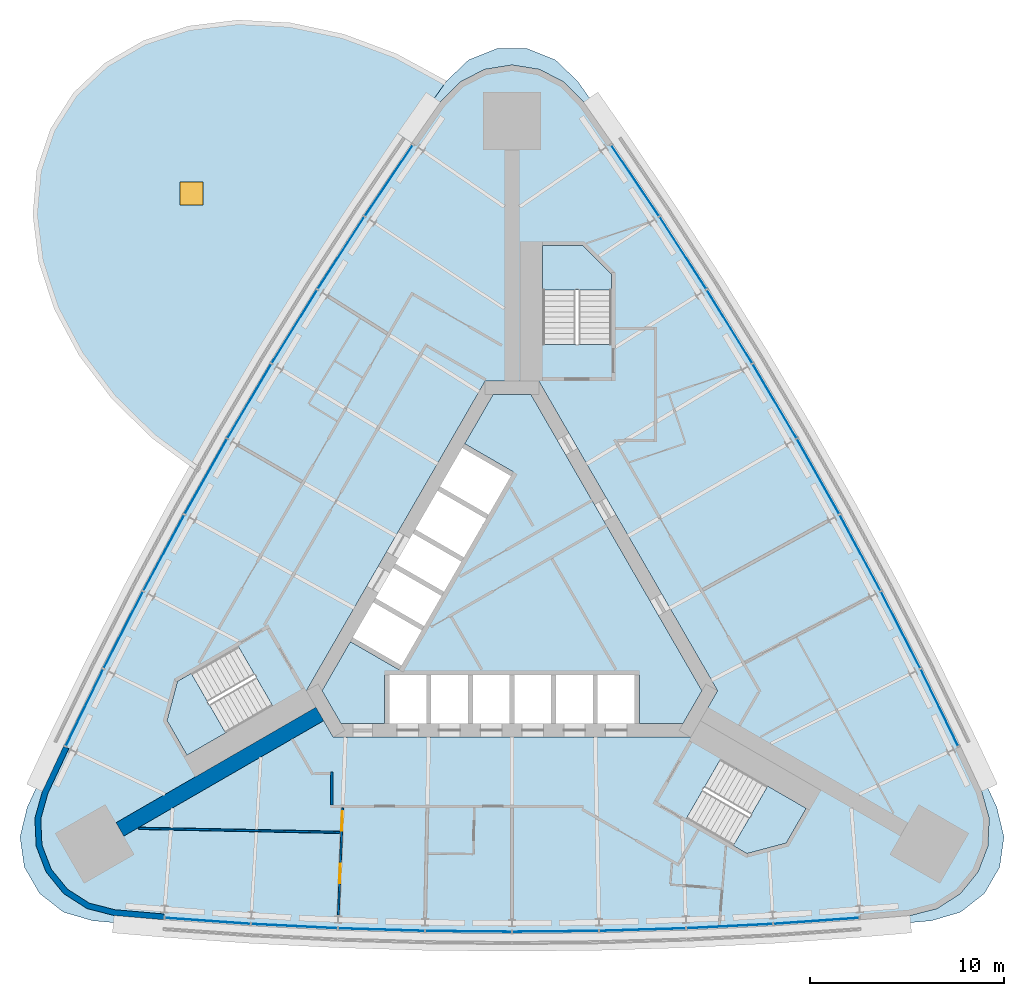
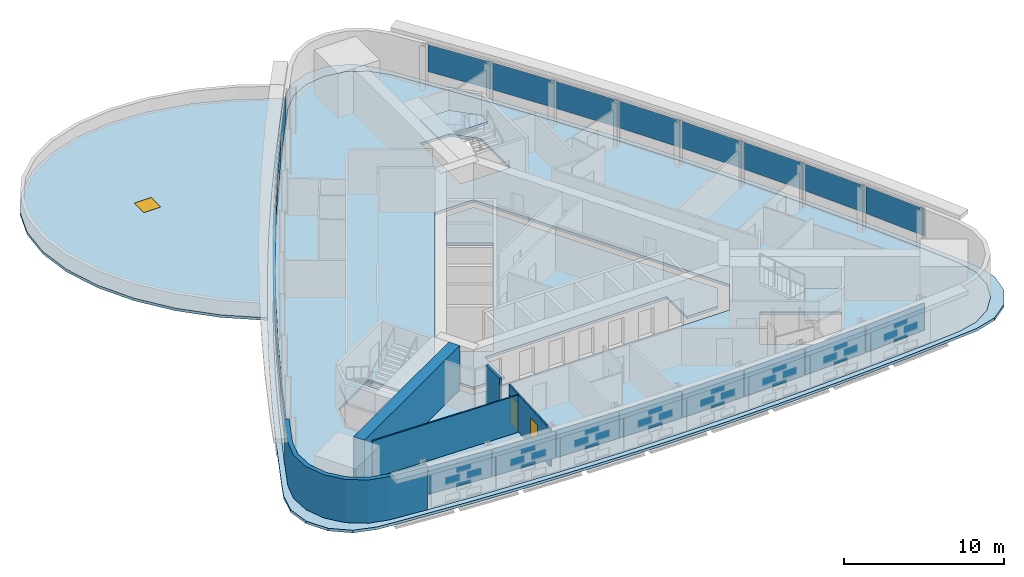
# One storey, part 6 of 12: 24 plates, 7 slabs, 5 walls, 2 doors, 1 window, 3 openings, 6 elements without a shape of their own.
"""IFC4 building model written with IfcOpenShell, lengths in metres."""

from ifc_helpers import new_model, si_unit, direction, frame, frame_2d, origin, origin_2d, place, context, subcontext, project, spatial, polyline, rectangle, outline, extrude, material, layer, layer_set, type_object, element, fill, aggregate, save


model = new_model("IFC4")

# Units and contexts
model_context = context("Model", 3, precision=1e-05, world=origin(), true_north=direction((0.0, 1.0)))
body_context = subcontext(model_context, "Body", "Model", "MODEL_VIEW")
ifc_project = project(units=[si_unit("LENGTHUNIT", "METRE"), si_unit("AREAUNIT", "SQUARE_METRE"), si_unit("VOLUMEUNIT", "CUBIC_METRE"), si_unit("PLANEANGLEUNIT", "RADIAN"), si_unit("MASSUNIT", "GRAM", prefix="KILO")], contexts=[model_context])

# Site, building, storey
site_placement = place(None, origin())
site = spatial("IfcSite", under=ifc_project, at=site_placement, CompositionType="ELEMENT")
building_placement = place(site_placement, origin())
building = spatial("IfcBuilding", under=site, at=building_placement, Name="Noor Cloister Tower", CompositionType="ELEMENT")
storey_placement = place(building_placement, frame((0.0, 0.0, 105.89990234375)))
storey = spatial("IfcBuildingStorey", under=building, at=storey_placement, Name="L27", CompositionType="ELEMENT", Elevation=105.89990234375)

# Slabs
ifc_material_1 = material(Name="Concrete C40/50", Category="concrete")
ifc_layer_1 = layer(ifc_material_1, 0.199951171875)
ifc_layer_set_1 = layer_set([ifc_layer_1], Name="Core floor slab 200 C40/50")
slab_type_1 = type_object("IfcSlabType", Name="Core floor slab 200 C40/50", PredefinedType="FLOOR", material=ifc_layer_set_1)
slab_1_placement = place(storey_placement, frame((0.0, 0.0, -0.199951171875)))
element("IfcSlab", 1, at=slab_1_placement, inside=storey, type_object=slab_type_1, Name="Core floor L27", PredefinedType="FLOOR", context=body_context, shape_type="SweptSolid", body=[
    extrude(outline(polyline([(-6.574951171875, -6.228271484375), (-6.574951171875, -3.728271484375), (6.574951171875, -3.728271484375), (6.574951171875, -6.228271484375), (8.82470703125, -6.228271484375), (9.80615234375, -4.5283203125), (0.9814453125, 10.75634765625), (-0.9814453125, 10.75634765625), (-2.44384765625, 8.2236328125), (0.067626953125, 6.773681640625), (-5.832275390625, -3.4453125), (-8.34375, -1.995361328125), (-9.80615234375, -4.5283203125), (-8.82470703125, -6.228271484375), (-6.574951171875, -6.228271484375)])), origin(), (0.0, 0.0, 1.0), 0.199951171875),
])
ifc_material_2 = material(Name="Concrete C40/50", Category="concrete")
ifc_layer_2 = layer(ifc_material_2, 0.199951171875)
ifc_layer_set_2 = layer_set([ifc_layer_2], Name="Floor slab 200 C40/50")
slab_type_2 = type_object("IfcSlabType", Name="Floor slab 200 C40/50", PredefinedType="FLOOR", material=ifc_layer_set_2)
slab_2_placement = place(storey_placement, frame((0.0, 0.0, -0.199951171875)))
element("IfcSlab", 2, at=slab_2_placement, inside=storey, type_object=slab_type_2, Name="Floor slab L27", PredefinedType="FLOOR", context=body_context, shape_type="SweptSolid", body=[
    extrude(outline(polyline([(3.694091796875, 25.862548828125), (2.6904296875, 26.8876953125), (1.41650390625, 27.54736328125), (0.0, 27.774658203125), (-1.41650390625, 27.54736328125), (-2.6904296875, 26.8876953125), (-3.694091796875, 25.862548828125), (-5.1708984375, 23.747802734375), (-7.68896484375, 20.018310546875), (-10.131591796875, 16.239013671875), (-12.498046875, 12.41162109375), (-14.786865234375, 8.537353515625), (-16.99755859375, 4.617919921875), (-19.129150390625, 0.65478515625), (-21.180908203125, -3.350341796875), (-23.151611328125, -7.395751953125), (-24.24462890625, -9.732177734375), (-24.630615234375, -11.11376953125), (-24.56494140625, -12.546875), (-24.0537109375, -13.887451171875), (-23.1484375, -15.000244140625), (-21.940185546875, -15.77392578125), (-20.550537109375, -16.13037109375), (-17.980712890625, -16.35205078125), (-13.491943359375, -16.66796875), (-8.99755859375, -16.893798828125), (-4.499755859375, -17.029296875), (0.0, -17.074462890625), (4.499755859375, -17.029296875), (8.99755859375, -16.893798828125), (13.491943359375, -16.66796875), (17.980712890625, -16.35205078125), (20.550537109375, -16.13037109375), (21.940185546875, -15.77392578125), (23.1484375, -15.000244140625), (24.0537109375, -13.887451171875), (24.56494140625, -12.546875), (24.630615234375, -11.11376953125), (24.24462890625, -9.732177734375), (23.151611328125, -7.395751953125), (21.180908203125, -3.350341796875), (19.129150390625, 0.65478515625), (16.99755859375, 4.617919921875), (14.786865234375, 8.537353515625), (12.498046875, 12.41162109375), (10.131591796875, 16.239013671875), (7.68896484375, 20.018310546875), (5.1708984375, 23.747802734375), (3.694091796875, 25.862548828125)]), holes=[polyline([(8.999755859375, -11.126220703125), (12.131591796875, -12.934326171875), (14.1572265625, -12.3916015625), (15.19091796875, -10.601318359375), (10.774658203125, -8.0517578125), (8.999755859375, -11.126220703125)]), polyline([(-17.81005859375, -6.064697265625), (-16.776611328125, -7.85498046875), (-12.3603515625, -5.305419921875), (-14.13525390625, -2.23095703125), (-16.662841796875, -3.690185546875), (-17.267333984375, -4.039306640625), (-17.81005859375, -6.064697265625)]), polyline([(-10.6142578125, -4.5283203125), (-9.228759765625, -6.92822265625), (9.228759765625, -6.92822265625), (10.6142578125, -4.5283203125), (1.3857421875, 11.456298828125), (-1.3857421875, 11.456298828125), (-10.6142578125, -4.5283203125)]), polyline([(3.65283203125, 18.456298828125), (1.585693359375, 18.456298828125), (1.585693359375, 13.35693359375), (5.135498046875, 13.35693359375), (5.135498046875, 16.9736328125), (3.65283203125, 18.456298828125)])]), origin(), (0.0, 0.0, 1.0), 0.199951171875),
])

# Curtain wall, plates
ifc_material_3 = material(Name="Aluminium 6063-T6 anodised", Category="aluminium")
curtain_wall_type = type_object("IfcCurtainWallType", Name="Ribbon curtain wall, lower tower CW1", PredefinedType="NOTDEFINED", material=ifc_material_3)
curtain_wall_1_placement = place(storey_placement, origin())
curtain_wall_1 = element("IfcCurtainWall", 3, at=curtain_wall_1_placement, inside=storey, type_object=curtain_wall_type, Name="CW1 L27 NW run 1", PredefinedType="NOTDEFINED")
ifc_material_4 = material(Name="Clear laminated glass 2 x 8 mm", Category="glass")
ifc_layer_3 = layer(ifc_material_4, 0.028076171875)
ifc_layer_set_3 = layer_set([ifc_layer_3], Name="Glass panel CW1")
plate_type = type_object("IfcPlateType", Name="Glass panel CW1", PredefinedType="CURTAIN_PANEL", material=ifc_layer_set_3)
plate_1_placement = place(storey_placement, frame((-6.35791015625, 21.810791015625, 1.08984375), z_axis=(0.0, 0.0, 1.0), x_axis=(-0.559576269216, -0.828778860089, 0.0)))
plate_1 = element("IfcPlate", 4, at=plate_1_placement, type_object=plate_type, Name="CW1 glass panel 1", PredefinedType="CURTAIN_PANEL", context=body_context, shape_type="SweptSolid", body=[
    extrude(rectangle(XDim=4.39892578125, YDim=0.028076171875, at=origin_2d()), origin(), (0.0, 0.0, 1.0), 2.070068359375),
])
plate_2_placement = place(storey_placement, frame((-8.826416015625, 18.074462890625, 1.08984375), z_axis=(0.0, 0.0, 1.0), x_axis=(-0.542823743887, -0.839846642592, 0.0)))
plate_2 = element("IfcPlate", 5, at=plate_2_placement, type_object=plate_type, Name="CW1 glass panel 2", PredefinedType="CURTAIN_PANEL", context=body_context, shape_type="SweptSolid", body=[
    extrude(rectangle(XDim=4.43798828125, YDim=0.028076171875, at=origin_2d()), origin(), (0.0, 0.0, 1.0), 2.070068359375),
])
plate_3_placement = place(storey_placement, frame((-11.229736328125, 14.272705078125, 1.08984375), z_axis=(0.0, 0.0, 1.0), x_axis=(-0.525852368166, -0.85057585605, 0.0)))
plate_3 = element("IfcPlate", 6, at=plate_3_placement, type_object=plate_type, Name="CW1 glass panel 3", PredefinedType="CURTAIN_PANEL", context=body_context, shape_type="SweptSolid", body=[
    extrude(rectangle(XDim=4.43798828125, YDim=0.028076171875, at=origin_2d()), origin(), (0.0, 0.0, 1.0), 2.070068359375),
])
plate_4_placement = place(storey_placement, frame((-13.556396484375, 10.423583984375, 1.08984375), z_axis=(0.0, 0.0, 1.0), x_axis=(-0.508669013447, -0.860962156404, 0.0)))
plate_4 = element("IfcPlate", 7, at=plate_4_placement, type_object=plate_type, Name="CW1 glass panel 4", PredefinedType="CURTAIN_PANEL", context=body_context, shape_type="SweptSolid", body=[
    extrude(rectangle(XDim=4.43798828125, YDim=0.028076171875, at=origin_2d()), origin(), (0.0, 0.0, 1.0), 2.070068359375),
])
plate_5_placement = place(storey_placement, frame((-15.80517578125, 6.5283203125, 1.08984375), z_axis=(0.0, 0.0, 1.0), x_axis=(-0.491280592419, -0.871001365965, 0.0)))
plate_5 = element("IfcPlate", 8, at=plate_5_placement, type_object=plate_type, Name="CW1 glass panel 5", PredefinedType="CURTAIN_PANEL", context=body_context, shape_type="SweptSolid", body=[
    extrude(rectangle(XDim=4.43798828125, YDim=0.028076171875, at=origin_2d()), origin(), (0.0, 0.0, 1.0), 2.070068359375),
])
plate_6_placement = place(storey_placement, frame((-17.975341796875, 2.5888671875, 1.08984375), z_axis=(0.0, 0.0, 1.0), x_axis=(-0.473694115102, -0.880689437497, 0.0)))
plate_6 = element("IfcPlate", 9, at=plate_6_placement, type_object=plate_type, Name="CW1 glass panel 6", PredefinedType="CURTAIN_PANEL", context=body_context, shape_type="SweptSolid", body=[
    extrude(rectangle(XDim=4.43798828125, YDim=0.028076171875, at=origin_2d()), origin(), (0.0, 0.0, 1.0), 2.070068359375),
])
plate_7_placement = place(storey_placement, frame((-20.066162109375, -1.393310546875, 1.08984375), z_axis=(0.0, 0.0, 1.0), x_axis=(-0.455916655824, -0.890022473279, 0.0)))
plate_7 = element("IfcPlate", 10, at=plate_7_placement, type_object=plate_type, Name="CW1 glass panel 7", PredefinedType="CURTAIN_PANEL", context=body_context, shape_type="SweptSolid", body=[
    extrude(rectangle(XDim=4.43798828125, YDim=0.028076171875, at=origin_2d()), origin(), (0.0, 0.0, 1.0), 2.070068359375),
])
plate_8_placement = place(storey_placement, frame((-22.06787109375, -5.399169921875, 1.08984375), z_axis=(0.0, 0.0, 1.0), x_axis=(-0.437955412348, -0.89899669454, 0.0)))
plate_8 = element("IfcPlate", 11, at=plate_8_placement, type_object=plate_type, Name="CW1 glass panel 8", PredefinedType="CURTAIN_PANEL", context=body_context, shape_type="SweptSolid", body=[
    extrude(rectangle(XDim=4.39892578125, YDim=0.028076171875, at=origin_2d()), origin(), (0.0, 0.0, 1.0), 2.070068359375),
])
aggregate(curtain_wall_1, [plate_1, plate_2, plate_3, plate_4, plate_5, plate_6, plate_7, plate_8])

curtain_wall_2_placement = place(storey_placement, origin())
curtain_wall_2 = element("IfcCurtainWall", 12, at=curtain_wall_2_placement, inside=storey, type_object=curtain_wall_type, Name="CW1 L27 S run 2", PredefinedType="NOTDEFINED")
plate_9_placement = place(storey_placement, frame((-15.709716796875, -16.41162109375, 1.08984375), z_axis=(0.0, 0.0, 1.0), x_axis=(0.997531681565, -0.070217834452, 0.0)))
plate_9 = element("IfcPlate", 13, at=plate_9_placement, type_object=plate_type, Name="CW1 glass panel 1", PredefinedType="CURTAIN_PANEL", context=body_context, shape_type="SweptSolid", body=[
    extrude(rectangle(XDim=4.39892578125, YDim=0.028076171875, at=origin_2d()), origin(), (0.0, 0.0, 1.0), 2.070068359375),
])
plate_10_placement = place(storey_placement, frame((-11.23974609375, -16.68115234375, 1.08984375), z_axis=(0.0, 0.0, 1.0), x_axis=(0.998740399711, -0.050175830687, 0.0)))
plate_10 = element("IfcPlate", 14, at=plate_10_placement, type_object=plate_type, Name="CW1 glass panel 2", PredefinedType="CURTAIN_PANEL", context=body_context, shape_type="SweptSolid", body=[
    extrude(rectangle(XDim=4.43798828125, YDim=0.028076171875, at=origin_2d()), origin(), (0.0, 0.0, 1.0), 2.070068359375),
])
plate_11_placement = place(storey_placement, frame((-6.74560546875, -16.861572265625, 1.08984375), z_axis=(0.0, 0.0, 1.0), x_axis=(0.999546483268, -0.030113581447, 0.0)))
plate_11 = element("IfcPlate", 15, at=plate_11_placement, type_object=plate_type, Name="CW1 glass panel 3", PredefinedType="CURTAIN_PANEL", context=body_context, shape_type="SweptSolid", body=[
    extrude(rectangle(XDim=4.43798828125, YDim=0.028076171875, at=origin_2d()), origin(), (0.0, 0.0, 1.0), 2.070068359375),
])
plate_12_placement = place(storey_placement, frame((-2.248779296875, -16.951904296875, 1.08984375), z_axis=(0.0, 0.0, 1.0), x_axis=(0.999949605866, -0.010039209561, 0.0)))
plate_12 = element("IfcPlate", 16, at=plate_12_placement, type_object=plate_type, Name="CW1 glass panel 4", PredefinedType="CURTAIN_PANEL", context=body_context, shape_type="SweptSolid", body=[
    extrude(rectangle(XDim=4.43798828125, YDim=0.028076171875, at=origin_2d()), origin(), (0.0, 0.0, 1.0), 2.070068359375),
])
plate_13_placement = place(storey_placement, frame((2.248779296875, -16.951904296875, 1.08984375), z_axis=(0.0, 0.0, 1.0), x_axis=(0.999949605866, 0.010039209561, 0.0)))
plate_13 = element("IfcPlate", 17, at=plate_13_placement, type_object=plate_type, Name="CW1 glass panel 5", PredefinedType="CURTAIN_PANEL", context=body_context, shape_type="SweptSolid", body=[
    extrude(rectangle(XDim=4.43798828125, YDim=0.028076171875, at=origin_2d()), origin(), (0.0, 0.0, 1.0), 2.070068359375),
])
plate_14_placement = place(storey_placement, frame((6.74560546875, -16.861572265625, 1.08984375), z_axis=(0.0, 0.0, 1.0), x_axis=(0.999546483268, 0.030113581447, 0.0)))
plate_14 = element("IfcPlate", 18, at=plate_14_placement, type_object=plate_type, Name="CW1 glass panel 6", PredefinedType="CURTAIN_PANEL", context=body_context, shape_type="SweptSolid", body=[
    extrude(rectangle(XDim=4.43798828125, YDim=0.028076171875, at=origin_2d()), origin(), (0.0, 0.0, 1.0), 2.070068359375),
])
plate_15_placement = place(storey_placement, frame((11.23974609375, -16.68115234375, 1.08984375), z_axis=(0.0, 0.0, 1.0), x_axis=(0.998740399711, 0.050175830687, 0.0)))
plate_15 = element("IfcPlate", 19, at=plate_15_placement, type_object=plate_type, Name="CW1 glass panel 7", PredefinedType="CURTAIN_PANEL", context=body_context, shape_type="SweptSolid", body=[
    extrude(rectangle(XDim=4.43798828125, YDim=0.028076171875, at=origin_2d()), origin(), (0.0, 0.0, 1.0), 2.070068359375),
])
plate_16_placement = place(storey_placement, frame((15.709716796875, -16.41162109375, 1.08984375), z_axis=(0.0, 0.0, 1.0), x_axis=(0.997531681565, 0.070217834452, 0.0)))
plate_16 = element("IfcPlate", 20, at=plate_16_placement, type_object=plate_type, Name="CW1 glass panel 8", PredefinedType="CURTAIN_PANEL", context=body_context, shape_type="SweptSolid", body=[
    extrude(rectangle(XDim=4.39892578125, YDim=0.028076171875, at=origin_2d()), origin(), (0.0, 0.0, 1.0), 2.070068359375),
])
aggregate(curtain_wall_2, [plate_9, plate_10, plate_11, plate_12, plate_13, plate_14, plate_15, plate_16])

curtain_wall_3_placement = place(storey_placement, origin())
curtain_wall_3 = element("IfcCurtainWall", 21, at=curtain_wall_3_placement, inside=storey, type_object=curtain_wall_type, Name="CW1 L27 NE run 3", PredefinedType="NOTDEFINED")
plate_17_placement = place(storey_placement, frame((22.06787109375, -5.399169921875, 1.08984375), z_axis=(0.0, 0.0, 1.0), x_axis=(-0.437955412348, 0.89899669454, 0.0)))
plate_17 = element("IfcPlate", 22, at=plate_17_placement, type_object=plate_type, Name="CW1 glass panel 1", PredefinedType="CURTAIN_PANEL", context=body_context, shape_type="SweptSolid", body=[
    extrude(rectangle(XDim=4.39892578125, YDim=0.028076171875, at=origin_2d()), origin(), (0.0, 0.0, 1.0), 2.070068359375),
])
plate_18_placement = place(storey_placement, frame((20.066162109375, -1.393310546875, 1.08984375), z_axis=(0.0, 0.0, 1.0), x_axis=(-0.455916655824, 0.890022473279, 0.0)))
plate_18 = element("IfcPlate", 23, at=plate_18_placement, type_object=plate_type, Name="CW1 glass panel 2", PredefinedType="CURTAIN_PANEL", context=body_context, shape_type="SweptSolid", body=[
    extrude(rectangle(XDim=4.43798828125, YDim=0.028076171875, at=origin_2d()), origin(), (0.0, 0.0, 1.0), 2.070068359375),
])
plate_19_placement = place(storey_placement, frame((17.975341796875, 2.5888671875, 1.08984375), z_axis=(0.0, 0.0, 1.0), x_axis=(-0.473694115102, 0.880689437497, 0.0)))
plate_19 = element("IfcPlate", 24, at=plate_19_placement, type_object=plate_type, Name="CW1 glass panel 3", PredefinedType="CURTAIN_PANEL", context=body_context, shape_type="SweptSolid", body=[
    extrude(rectangle(XDim=4.43798828125, YDim=0.028076171875, at=origin_2d()), origin(), (0.0, 0.0, 1.0), 2.070068359375),
])
plate_20_placement = place(storey_placement, frame((15.80517578125, 6.5283203125, 1.08984375), z_axis=(0.0, 0.0, 1.0), x_axis=(-0.491280592419, 0.871001365965, 0.0)))
plate_20 = element("IfcPlate", 25, at=plate_20_placement, type_object=plate_type, Name="CW1 glass panel 4", PredefinedType="CURTAIN_PANEL", context=body_context, shape_type="SweptSolid", body=[
    extrude(rectangle(XDim=4.43798828125, YDim=0.028076171875, at=origin_2d()), origin(), (0.0, 0.0, 1.0), 2.070068359375),
])
plate_21_placement = place(storey_placement, frame((13.556396484375, 10.423583984375, 1.08984375), z_axis=(0.0, 0.0, 1.0), x_axis=(-0.508669013447, 0.860962156404, 0.0)))
plate_21 = element("IfcPlate", 26, at=plate_21_placement, type_object=plate_type, Name="CW1 glass panel 5", PredefinedType="CURTAIN_PANEL", context=body_context, shape_type="SweptSolid", body=[
    extrude(rectangle(XDim=4.43798828125, YDim=0.028076171875, at=origin_2d()), origin(), (0.0, 0.0, 1.0), 2.070068359375),
])
plate_22_placement = place(storey_placement, frame((11.229736328125, 14.272705078125, 1.08984375), z_axis=(0.0, 0.0, 1.0), x_axis=(-0.525852368166, 0.85057585605, 0.0)))
plate_22 = element("IfcPlate", 27, at=plate_22_placement, type_object=plate_type, Name="CW1 glass panel 6", PredefinedType="CURTAIN_PANEL", context=body_context, shape_type="SweptSolid", body=[
    extrude(rectangle(XDim=4.43798828125, YDim=0.028076171875, at=origin_2d()), origin(), (0.0, 0.0, 1.0), 2.070068359375),
])
plate_23_placement = place(storey_placement, frame((8.826416015625, 18.074462890625, 1.08984375), z_axis=(0.0, 0.0, 1.0), x_axis=(-0.542823743887, 0.839846642592, 0.0)))
plate_23 = element("IfcPlate", 28, at=plate_23_placement, type_object=plate_type, Name="CW1 glass panel 7", PredefinedType="CURTAIN_PANEL", context=body_context, shape_type="SweptSolid", body=[
    extrude(rectangle(XDim=4.43798828125, YDim=0.028076171875, at=origin_2d()), origin(), (0.0, 0.0, 1.0), 2.070068359375),
])
plate_24_placement = place(storey_placement, frame((6.35791015625, 21.810791015625, 1.08984375), z_axis=(0.0, 0.0, 1.0), x_axis=(-0.559576269216, 0.828778860089, 0.0)))
plate_24 = element("IfcPlate", 29, at=plate_24_placement, type_object=plate_type, Name="CW1 glass panel 8", PredefinedType="CURTAIN_PANEL", context=body_context, shape_type="SweptSolid", body=[
    extrude(rectangle(XDim=4.39892578125, YDim=0.028076171875, at=origin_2d()), origin(), (0.0, 0.0, 1.0), 2.070068359375),
])
aggregate(curtain_wall_3, [plate_17, plate_18, plate_19, plate_20, plate_21, plate_22, plate_23, plate_24])

# Slab
ifc_material_5 = material(Name="Concrete C40/50", Category="concrete")
ifc_layer_4 = layer(ifc_material_5, 0.199951171875)
ifc_layer_set_4 = layer_set([ifc_layer_4], Name="Ledge roof 200 C40/50")
slab_type_3 = type_object("IfcSlabType", Name="Ledge roof 200 C40/50", PredefinedType="ROOF", material=ifc_layer_set_4)
slab_3_placement = place(storey_placement, frame((0.0, 0.0, -0.199951171875)))
element("IfcSlab", 30, at=slab_3_placement, inside=storey, type_object=slab_type_3, Name="Ledge roof L27", PredefinedType="ROOF", context=body_context, shape_type="SweptSolid", body=[
    extrude(outline(polyline([(4.204833984375, 25.77978515625), (3.37548828125, 26.95263671875), (2.240478515625, 28.035400390625), (0.784423828125, 28.61865234375), (-0.784423828125, 28.61865234375), (-2.240478515625, 28.035400390625), (-3.37548828125, 26.95263671875), (-4.204833984375, 25.77978515625), (-6.754150390625, 22.07177734375), (-9.230224609375, 18.314208984375), (-11.6318359375, 14.5087890625), (-13.9580078125, 10.65673828125), (-16.2080078125, 6.759765625), (-18.380859375, 2.819091796875), (-20.475830078125, -1.16357421875), (-22.49169921875, -5.1865234375), (-24.42822265625, -9.24853515625), (-25.029541015625, -10.552978515625), (-25.399658203125, -12.077392578125), (-25.1767578125, -13.630126953125), (-24.392333984375, -14.988525390625), (-23.1591796875, -15.958251953125), (-21.65380859375, -16.399658203125), (-20.2236328125, -16.53125), (-15.737548828125, -16.88525390625), (-11.245361328125, -17.150634765625), (-6.7490234375, -17.327880859375), (-2.25, -17.41650390625), (2.25, -17.41650390625), (6.7490234375, -17.327880859375), (11.245361328125, -17.150634765625), (15.737548828125, -16.88525390625), (20.2236328125, -16.53125), (21.65380859375, -16.399658203125), (23.1591796875, -15.958251953125), (24.392333984375, -14.988525390625), (25.1767578125, -13.630126953125), (25.399658203125, -12.077392578125), (25.029541015625, -10.552978515625), (24.42822265625, -9.24853515625), (22.49169921875, -5.1865234375), (20.475830078125, -1.16357421875), (18.380859375, 2.819091796875), (16.2080078125, 6.759765625), (13.9580078125, 10.65673828125), (11.6318359375, 14.5087890625), (9.230224609375, 18.314208984375), (6.754150390625, 22.07177734375), (4.204833984375, 25.77978515625)]), holes=[polyline([(1.41650390625, 27.54736328125), (0.0, 27.774658203125), (-1.41650390625, 27.54736328125), (-2.6904296875, 26.8876953125), (-3.694091796875, 25.862548828125), (-5.1708984375, 23.747802734375), (-7.68896484375, 20.018310546875), (-10.131591796875, 16.239013671875), (-12.498046875, 12.41162109375), (-14.786865234375, 8.537353515625), (-16.99755859375, 4.617919921875), (-19.129150390625, 0.65478515625), (-21.180908203125, -3.350341796875), (-23.151611328125, -7.395751953125), (-24.24462890625, -9.732177734375), (-24.630615234375, -11.11376953125), (-24.56494140625, -12.546875), (-24.0537109375, -13.887451171875), (-23.1484375, -15.000244140625), (-21.940185546875, -15.77392578125), (-20.550537109375, -16.13037109375), (-17.980712890625, -16.35205078125), (-13.491943359375, -16.66796875), (-8.99755859375, -16.893798828125), (-4.499755859375, -17.029296875), (0.0, -17.074462890625), (4.499755859375, -17.029296875), (8.99755859375, -16.893798828125), (13.491943359375, -16.66796875), (17.980712890625, -16.35205078125), (20.550537109375, -16.13037109375), (21.940185546875, -15.77392578125), (23.1484375, -15.000244140625), (24.0537109375, -13.887451171875), (24.56494140625, -12.546875), (24.630615234375, -11.11376953125), (24.24462890625, -9.732177734375), (23.151611328125, -7.395751953125), (21.180908203125, -3.350341796875), (19.129150390625, 0.65478515625), (16.99755859375, 4.617919921875), (14.786865234375, 8.537353515625), (12.498046875, 12.41162109375), (10.131591796875, 16.239013671875), (7.68896484375, 20.018310546875), (5.1708984375, 23.747802734375), (3.694091796875, 25.862548828125), (2.6904296875, 26.8876953125), (1.41650390625, 27.54736328125)])]), origin(), (0.0, 0.0, 1.0), 0.199951171875),
])

# Slab, opening, window
ifc_material_6 = material(Name="Concrete C40/50", Category="concrete")
ifc_layer_5 = layer(ifc_material_6, 0.199951171875)
ifc_layer_set_5 = layer_set([ifc_layer_5], Name="Pod roof slab 200")
slab_type_4 = type_object("IfcSlabType", Name="Pod roof slab 200", PredefinedType="ROOF", material=ifc_layer_set_5)
slab_4_placement = place(storey_placement, frame((0.0, 0.0, -0.199951171875)))
slab_4 = element("IfcSlab", 31, at=slab_4_placement, inside=storey, type_object=slab_type_4, Name="Pod roof slab 2", PredefinedType="ROOF", context=body_context, shape_type="SweptSolid", body=[
    extrude(outline(polyline([(-3.37548828125, 26.95263671875), (-5.96630859375, 28.357666015625), (-8.68701171875, 29.370849609375), (-11.445556640625, 29.9580078125), (-14.147705078125, 30.098876953125), (-16.70166015625, 29.7890625), (-19.02001953125, 29.03857421875), (-21.0244140625, 27.873291015625), (-22.646240234375, 26.332763671875), (-23.830078125, 24.469482421875), (-24.5361328125, 22.34716796875), (-24.739990234375, 20.03759765625), (-24.434814453125, 17.619873046875), (-23.631103515625, 15.17626953125), (-22.35595703125, 12.78955078125), (-20.65283203125, 10.54150390625), (-18.580078125, 8.508544921875), (-16.2080078125, 6.759765625), (-13.9580078125, 10.65673828125), (-11.6318359375, 14.5087890625), (-9.230224609375, 18.314208984375), (-6.754150390625, 22.07177734375), (-4.204833984375, 25.77978515625), (-3.37548828125, 26.95263671875)])), origin(), (0.0, 0.0, 1.0), 0.199951171875),
])
opening_1_placement = place(slab_4_placement, frame((-16.543701171875, 21.14697265625, 0.0)))
opening_1 = element("IfcOpeningElement", 32, at=opening_1_placement, cuts=slab_4, Name="Opening RH2", PredefinedType="OPENING", context=body_context, shape_type="SweptSolid", body=[
    extrude(rectangle(XDim=1.199951171875, YDim=1.199951171875, at=origin_2d()), origin(), (0.0, 0.0, 1.0), 0.199951171875),
])
ifc_material_7 = material(Name="Aluminium 6063-T6 anodised", Category="aluminium")
window_type = type_object("IfcWindowType", Name="Roof access hatch", PartitioningType="SINGLE_PANEL", PredefinedType="SKYLIGHT", material=ifc_material_7)
window_placement = place(opening_1_placement, frame((0.0, 0.0, 0.14990234375)))
window = element("IfcWindow", 33, at=window_placement, inside=storey, type_object=window_type, Name="Sky bar 2 roof access hatch", OverallHeight=1.199951171875, OverallWidth=1.199951171875, PartitioningType="SINGLE_PANEL", PredefinedType="SKYLIGHT", context=body_context, shape_type="SweptSolid", body=[
    extrude(rectangle(XDim=1.199951171875, YDim=1.199951171875, at=origin_2d()), origin(), (0.0, 0.0, 1.0), 0.050048828125),
])
fill(opening_1, window)

# Stair, slab
ifc_material_8 = material(Name="Concrete C40/50", Category="concrete")
stair_type = type_object("IfcStairType", Name="Exit stair 22 risers", PredefinedType="HALF_TURN_STAIR", material=ifc_material_8)
stair_1_placement = place(storey_placement, origin())
stair_1 = element("IfcStair", 34, at=stair_1_placement, inside=storey, type_object=stair_type, Name="Exit stair ST1 L27", PredefinedType="HALF_TURN_STAIR")
ifc_material_9 = material(Name="Concrete C40/50", Category="concrete")
ifc_layer_6 = layer(ifc_material_9, 0.199951171875)
ifc_layer_set_6 = layer_set([ifc_layer_6], Name="Stair landing 200 C40/50")
slab_type_5 = type_object("IfcSlabType", Name="Stair landing 200 C40/50", PredefinedType="LANDING", material=ifc_layer_set_6)
slab_5_placement = place(storey_placement, frame((0.0, 0.0, 1.60009765625)))
slab_5 = element("IfcSlab", 35, at=slab_5_placement, type_object=slab_type_5, Name="ST1 landing 1", PredefinedType="LANDING", context=body_context, shape_type="SweptSolid", body=[
    extrude(outline(polyline([(5.135498046875, 16.15576171875), (5.135498046875, 16.9736328125), (3.65283203125, 18.456298828125), (1.585693359375, 18.456298828125), (1.585693359375, 16.15576171875), (5.135498046875, 16.15576171875)])), origin(), (0.0, 0.0, 1.0), 0.199951171875),
])
aggregate(stair_1, [slab_5])

stair_2_placement = place(storey_placement, origin())
stair_2 = element("IfcStair", 36, at=stair_2_placement, inside=storey, type_object=stair_type, Name="Exit stair ST2 L27", PredefinedType="HALF_TURN_STAIR")
slab_6_placement = place(storey_placement, frame((0.0, 0.0, 1.60009765625)))
slab_6 = element("IfcSlab", 37, at=slab_6_placement, type_object=slab_type_5, Name="ST2 landing 1", PredefinedType="LANDING", context=body_context, shape_type="SweptSolid", body=[
    extrude(outline(polyline([(-16.55908203125, -3.63037109375), (-17.267333984375, -4.039306640625), (-17.81005859375, -6.064697265625), (-16.776611328125, -7.85498046875), (-14.7841796875, -6.70458984375), (-16.55908203125, -3.63037109375)])), origin(), (0.0, 0.0, 1.0), 0.199951171875),
])
aggregate(stair_2, [slab_6])

stair_3_placement = place(storey_placement, origin())
stair_3 = element("IfcStair", 38, at=stair_3_placement, inside=storey, type_object=stair_type, Name="Exit stair ST3 L27", PredefinedType="HALF_TURN_STAIR")
slab_7_placement = place(storey_placement, frame((0.0, 0.0, 1.60009765625)))
slab_7 = element("IfcSlab", 39, at=slab_7_placement, type_object=slab_type_5, Name="ST3 landing 1", PredefinedType="LANDING", context=body_context, shape_type="SweptSolid", body=[
    extrude(outline(polyline([(11.423583984375, -12.525390625), (12.131591796875, -12.934326171875), (14.1572265625, -12.3916015625), (15.19091796875, -10.601318359375), (13.198486328125, -9.451171875), (11.423583984375, -12.525390625)])), origin(), (0.0, 0.0, 1.0), 0.199951171875),
])
aggregate(stair_3, [slab_7])

# Walls
ifc_material_10 = material(Name="Concrete C80/95", Category="concrete")
ifc_layer_7 = layer(ifc_material_10, 0.800048828125)
ifc_layer_set_7 = layer_set([ifc_layer_7], Name="Buttress wall 800 C80/95")
wall_type_1 = type_object("IfcWallType", Name="Buttress wall 800 C80/95", PredefinedType="SHEAR", material=ifc_layer_set_7)
wall_1_placement = place(storey_placement, frame((-9.921630859375, -5.728271484375, -0.199951171875), z_axis=(0.0, 0.0, 1.0), x_axis=(-0.866027307971, -0.499996701837, 0.0)))
element("IfcWall", 40, at=wall_1_placement, inside=storey, type_object=wall_type_1, Name="Buttress wall SW L27", PredefinedType="SHEAR", context=body_context, shape_type="SweptSolid", body=[
    extrude(rectangle(XDim=11.91845703125, YDim=0.800048828125, at=frame_2d((5.959228515625, 0.0))), origin(), (0.0, 0.0, 1.0), 3.60009765625),
])
ifc_material_11 = material(Name="Gypsum board partition on steel studs, 150 mm", Category="steel")
ifc_layer_8 = layer(ifc_material_11, 0.14990234375)
ifc_layer_set_8 = layer_set([ifc_layer_8], Name="Flat wall 150")
wall_type_2 = type_object("IfcWallType", Name="Flat wall 150", PredefinedType="PARTITIONING", material=ifc_layer_set_8)
wall_2_placement = place(storey_placement, frame((-9.3037109375, -10.42822265625, 0.0), z_axis=(0.0, 0.0, 1.0), x_axis=(0.0, 1.0, 0.0)))
element("IfcWall", 41, at=wall_2_placement, inside=storey, type_object=wall_type_2, Name="Flat wall 150 L27 014", PredefinedType="PARTITIONING", context=body_context, shape_type="SweptSolid", body=[
    extrude(rectangle(XDim=1.699951171875, YDim=0.14990234375, at=frame_2d((0.85009765625, 0.0))), origin(), (0.0, 0.0, 1.0), 3.400146484375),
])
ifc_material_12 = material(Name="Limestone", Category="masonry")
ifc_layer_9 = layer(ifc_material_12, 0.300048828125)
ifc_layer_set_9 = layer_set([ifc_layer_9], Name="Limestone cladding 300")
wall_type_3 = type_object("IfcWallType", Name="Limestone cladding 300", PredefinedType="NOTDEFINED", material=ifc_layer_set_9)
wall_3_placement = place(storey_placement, origin())
element("IfcWall", 42, at=wall_3_placement, inside=storey, type_object=wall_type_3, Name="Limestone pier cladding L27 1.1", PredefinedType="NOTDEFINED", context=body_context, shape_type="SweptSolid", body=[
    extrude(outline(polyline([(-23.151611328125, -7.395751953125), (-24.24462890625, -9.732177734375), (-24.630615234375, -11.11376953125), (-24.56494140625, -12.546875), (-24.0537109375, -13.887451171875), (-23.1484375, -15.000244140625), (-21.940185546875, -15.77392578125), (-20.550537109375, -16.13037109375), (-17.980712890625, -16.35205078125), (-17.954833984375, -16.05322265625), (-20.5, -15.83349609375), (-21.819091796875, -15.495361328125), (-22.946044921875, -14.773681640625), (-23.79052734375, -13.7353515625), (-24.267333984375, -12.485107421875), (-24.328857421875, -11.148193359375), (-23.96240234375, -9.8369140625), (-22.8798828125, -7.522705078125), (-23.151611328125, -7.395751953125)])), origin(), (0.0, 0.0, 1.0), 3.300048828125),
])
ifc_material_13 = material(Name="Gypsum board partition on steel studs, 100 mm", Category="steel")
ifc_layer_10 = layer(ifc_material_13, 0.10009765625)
ifc_layer_set_10 = layer_set([ifc_layer_10], Name="Partition 100")
wall_type_4 = type_object("IfcWallType", Name="Partition 100", PredefinedType="PARTITIONING", material=ifc_layer_set_10)
wall_4_placement = place(storey_placement, frame((-8.885009765625, -11.83935546875, 0.0), z_axis=(0.0, 0.0, 1.0), x_axis=(-0.999798608679, 0.020068434987, 0.0)))
element("IfcWall", 43, at=wall_4_placement, inside=storey, type_object=wall_type_4, Name="Partition 100 L27 022", PredefinedType="PARTITIONING", context=body_context, shape_type="SweptSolid", body=[
    extrude(rectangle(XDim=10.377197265625, YDim=0.10009765625, at=frame_2d((5.1884765625, 0.0))), origin(), (0.0, 0.0, 1.0), 2.84716796875),
])

# Wall, openings, doors
wall_5_placement = place(storey_placement, frame((-8.965576171875, -16.094482421875, 0.0), z_axis=(0.0, 0.0, 1.0), x_axis=(0.040167671745, 0.999192953411, 0.0)))
wall_5 = element("IfcWall", 44, at=wall_5_placement, inside=storey, type_object=wall_type_4, Name="Partition 100 L27 024", PredefinedType="PARTITIONING", context=body_context, shape_type="SweptSolid", body=[
    extrude(rectangle(XDim=5.518798828125, YDim=0.10009765625, at=frame_2d((2.75927734375, 0.0))), origin(), (0.0, 0.0, 1.0), 2.84716796875),
])
opening_2_placement = place(wall_5_placement, frame((4.34521484375, 0.0, 0.0)))
opening_2 = element("IfcOpeningElement", 45, at=opening_2_placement, cuts=wall_5, Name="Opening L27-015", PredefinedType="OPENING", context=body_context, shape_type="SweptSolid", body=[
    extrude(rectangle(XDim=1.0, YDim=2.10009765625, at=frame_2d((0.5, 1.050048828125))), frame((0.0, 0.06005859375, 0.0), z_axis=(0.0, -1.0, 0.0), x_axis=(1.0, 0.0, 0.0)), (0.0, 0.0, 1.0), 0.1201171875),
])
opening_3_placement = place(wall_5_placement, frame((1.634033203125, 0.0, 0.0)))
opening_3 = element("IfcOpeningElement", 46, at=opening_3_placement, cuts=wall_5, Name="Opening L27-016", PredefinedType="OPENING", context=body_context, shape_type="SweptSolid", body=[
    extrude(rectangle(XDim=1.0, YDim=2.10009765625, at=frame_2d((0.5, 1.050048828125))), frame((0.0, 0.06005859375, 0.0), z_axis=(0.0, -1.0, 0.0), x_axis=(1.0, 0.0, 0.0)), (0.0, 0.0, 1.0), 0.1201171875),
])
ifc_material_14 = material(Name="Timber door leaf with steel frame", Category="steel")
door_type = type_object("IfcDoorType", Name="Interior door 1000", OperationType="NOTDEFINED", PredefinedType="DOOR", material=ifc_material_14)
door_1_placement = place(opening_2_placement, origin())
door_1 = element("IfcDoor", 47, at=door_1_placement, inside=storey, type_object=door_type, Name="Interior door 1000 L27-015", OperationType="SINGLE_SWING_RIGHT", OverallHeight=2.10009765625, OverallWidth=1.0, PredefinedType="DOOR", context=body_context, shape_type="SweptSolid", body=[
    extrude(rectangle(XDim=1.0, YDim=2.10009765625, at=frame_2d((0.5, 1.050048828125))), frame((0.0, 0.02490234375, 0.0), z_axis=(0.0, -1.0, 0.0), x_axis=(1.0, 0.0, 0.0)), (0.0, 0.0, 1.0), 0.050048828125),
])
fill(opening_2, door_1)
door_2_placement = place(opening_3_placement, origin())
door_2 = element("IfcDoor", 48, at=door_2_placement, inside=storey, type_object=door_type, Name="Interior door 1000 L27-016", OperationType="SINGLE_SWING_LEFT", OverallHeight=2.10009765625, OverallWidth=1.0, PredefinedType="DOOR", context=body_context, shape_type="SweptSolid", body=[
    extrude(rectangle(XDim=1.0, YDim=2.10009765625, at=frame_2d((0.5, 1.050048828125))), frame((0.0, 0.02490234375, 0.0), z_axis=(0.0, -1.0, 0.0), x_axis=(1.0, 0.0, 0.0)), (0.0, 0.0, 1.0), 0.050048828125),
])
fill(opening_3, door_2)

save(model, "model.ifc")
